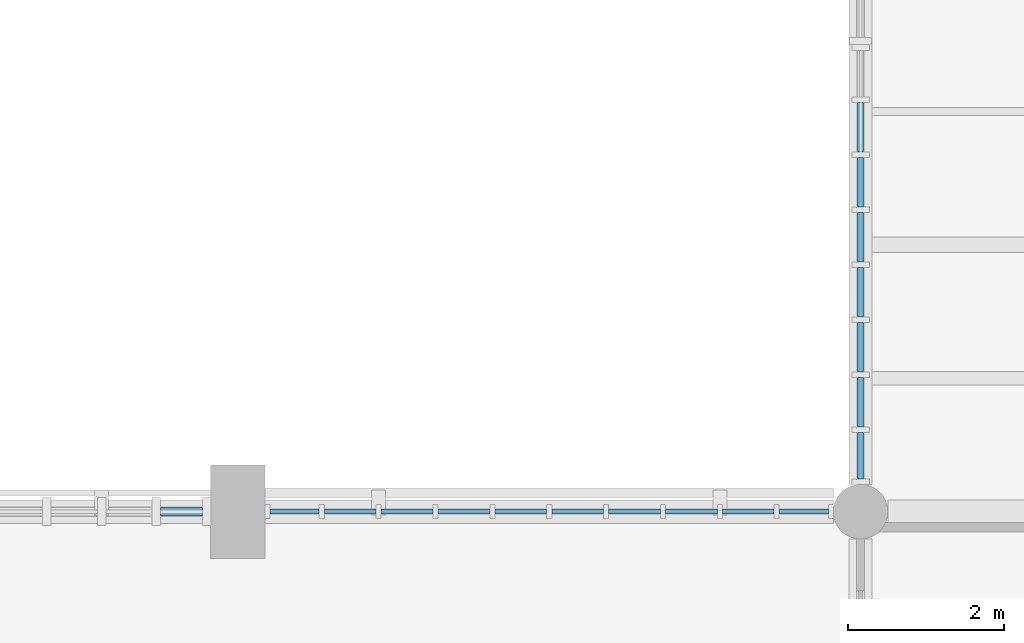
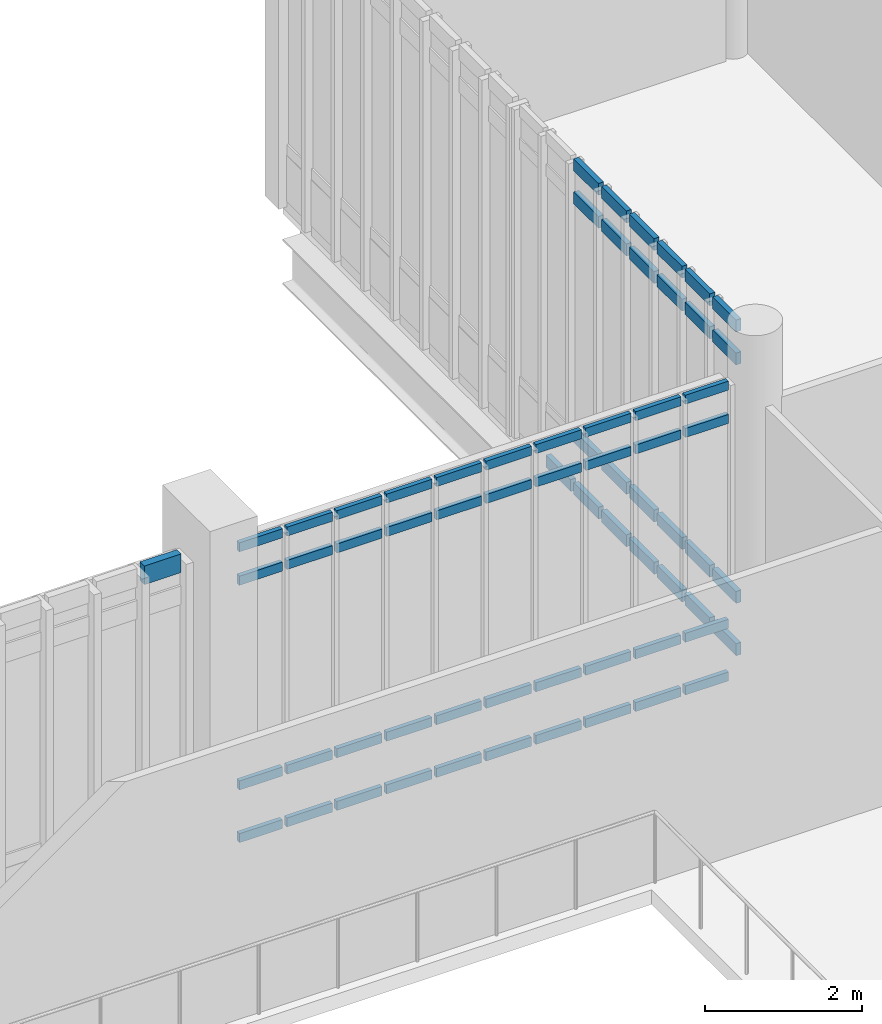
# One storey, part 54 of 127: 66 members, 3 elements without a shape of their own.
"""IFC4 building model written with IfcOpenShell, lengths in metres."""

from ifc_helpers import new_model, si_unit, direction, frame, origin, origin_2d, place, context, subcontext, project, spatial, rectangle, extrude, material, material_profile, profile_set, type_object, element, aggregate, save


model = new_model("IFC4")

# Units and contexts
model_context = context("Model", 3, precision=1e-05, world=origin(), true_north=direction((0.0, 1.0)))
body_context = subcontext(model_context, "Body", "Model", "MODEL_VIEW")
ifc_project = project(units=[si_unit("LENGTHUNIT", "METRE"), si_unit("AREAUNIT", "SQUARE_METRE"), si_unit("VOLUMEUNIT", "CUBIC_METRE"), si_unit("PLANEANGLEUNIT", "RADIAN"), si_unit("MASSUNIT", "GRAM", prefix="KILO")], contexts=[model_context])

# Site, building, storey
site_placement = place(None, origin())
site = spatial("IfcSite", under=ifc_project, at=site_placement, CompositionType="ELEMENT")
building_placement = place(site_placement, origin())
building = spatial("IfcBuilding", under=site, at=building_placement, Name="Larkvane Passage Sports Hall", CompositionType="ELEMENT")
storey_placement = place(building_placement, frame((0.0, 0.0, 5.39990234375)))
storey = spatial("IfcBuildingStorey", under=building, at=storey_placement, Name="L01", CompositionType="ELEMENT", Elevation=5.39990234375)

# Curtain wall, member
ifc_material_1 = material(Name="Thermally broken aluminium and low-E glazing", Category="aluminium")
curtain_wall_type_1 = type_object("IfcCurtainWallType", Name="CW-CLINIC", PredefinedType="USERDEFINED", material=ifc_material_1)
curtain_wall_1_placement = place(storey_placement, origin())
curtain_wall_1 = element("IfcCurtainWall", 1, at=curtain_wall_1_placement, inside=storey, type_object=curtain_wall_type_1, Name="Curtain wall CW5-L01-047", ObjectType="UNITISED CURTAIN WALL", PredefinedType="USERDEFINED")
ifc_material_2 = material(Name="Anodised aluminium 6063-T6", Category="aluminium")
ifc_material_profile_1 = material_profile(ifc_material_2, rectangle(XDim=0.110107421875, YDim=0.2900390625, at=origin_2d()), Name="ALU-TRN-110x290")
ifc_profile_set_1 = profile_set([ifc_material_profile_1], Name="Anodised aluminium 6063-T6")
member_type_1 = type_object("IfcMemberType", Name="CW-TRN-110x290", PredefinedType="USERDEFINED", material=ifc_profile_set_1)
member_1_placement = place(storey_placement, frame((109.005615234375, 51.60009765625, 4.619140625), z_axis=(1.0, 0.0, 0.0), x_axis=(0.0, 1.0, 0.0)))
member_1 = element("IfcMember", 2, at=member_1_placement, type_object=member_type_1, Name="CW-05 transom 10.4", ObjectType="TRANSOM", PredefinedType="USERDEFINED", context=body_context, shape_type="SweptSolid", body=[
    extrude(rectangle(XDim=0.110107421875, YDim=0.2900390625, at=origin_2d()), origin(), (0.0, 0.0, 1.0), 0.538330078125),
])
aggregate(curtain_wall_1, [member_1])

# Curtain wall, members
curtain_wall_type_2 = type_object("IfcCurtainWallType", Name="CW-UNIT-COURT", PredefinedType="USERDEFINED", material=ifc_material_1)
curtain_wall_2_placement = place(storey_placement, origin())
curtain_wall_2 = element("IfcCurtainWall", 3, at=curtain_wall_2_placement, inside=storey, type_object=curtain_wall_type_2, Name="Curtain wall CW5-L01-048", ObjectType="UNITISED CURTAIN WALL", PredefinedType="USERDEFINED")
ifc_material_profile_2 = material_profile(ifc_material_2, rectangle(XDim=0.06494140625, YDim=0.139892578125, at=origin_2d()), Name="ALU-TRN-65x140")
ifc_profile_set_2 = profile_set([ifc_material_profile_2], Name="Anodised aluminium 6063-T6")
member_type_2 = type_object("IfcMemberType", Name="CW-TRN-65x140", PredefinedType="USERDEFINED", material=ifc_profile_set_2)
member_2_placement = place(storey_placement, frame((110.410888671875, 51.60009765625, 0.03271484375), z_axis=(1.0, 0.0, 0.0), x_axis=(0.0, 1.0, 0.0)))
member_2 = element("IfcMember", 4, at=member_2_placement, type_object=member_type_2, Name="CW-01 transom 1.1", ObjectType="TRANSOM", PredefinedType="USERDEFINED", context=body_context, shape_type="SweptSolid", body=[
    extrude(rectangle(XDim=0.06494140625, YDim=0.139892578125, at=origin_2d()), origin(), (0.0, 0.0, 1.0), 0.63330078125),
])
member_3_placement = place(storey_placement, frame((110.410888671875, 51.60009765625, 0.85009765625), z_axis=(1.0, 0.0, 0.0), x_axis=(0.0, 1.0, 0.0)))
member_3 = element("IfcMember", 5, at=member_3_placement, type_object=member_type_2, Name="CW-01 transom 1.2", ObjectType="TRANSOM", PredefinedType="USERDEFINED", context=body_context, shape_type="SweptSolid", body=[
    extrude(rectangle(XDim=0.06494140625, YDim=0.139892578125, at=origin_2d()), origin(), (0.0, 0.0, 1.0), 0.63330078125),
])
member_4_placement = place(storey_placement, frame((110.410888671875, 51.60009765625, 4.028076171875), z_axis=(1.0, 0.0, 0.0), x_axis=(0.0, 1.0, 0.0)))
member_4 = element("IfcMember", 6, at=member_4_placement, type_object=member_type_2, Name="CW-01 transom 1.3", ObjectType="TRANSOM", PredefinedType="USERDEFINED", context=body_context, shape_type="SweptSolid", body=[
    extrude(rectangle(XDim=0.06494140625, YDim=0.139892578125, at=origin_2d()), origin(), (0.0, 0.0, 1.0), 0.63330078125),
])
member_5_placement = place(storey_placement, frame((110.410888671875, 51.60009765625, 4.545654296875), z_axis=(1.0, 0.0, 0.0), x_axis=(0.0, 1.0, 0.0)))
member_5 = element("IfcMember", 7, at=member_5_placement, type_object=member_type_2, Name="CW-01 transom 1.4", ObjectType="TRANSOM", PredefinedType="USERDEFINED", context=body_context, shape_type="SweptSolid", body=[
    extrude(rectangle(XDim=0.06494140625, YDim=0.139892578125, at=origin_2d()), origin(), (0.0, 0.0, 1.0), 0.63330078125),
])
member_6_placement = place(storey_placement, frame((111.109375, 51.60009765625, 0.03271484375), z_axis=(1.0, 0.0, 0.0), x_axis=(0.0, 1.0, 0.0)))
member_6 = element("IfcMember", 8, at=member_6_placement, type_object=member_type_2, Name="CW-01 transom 2.1", ObjectType="TRANSOM", PredefinedType="USERDEFINED", context=body_context, shape_type="SweptSolid", body=[
    extrude(rectangle(XDim=0.06494140625, YDim=0.139892578125, at=origin_2d()), origin(), (0.0, 0.0, 1.0), 0.665771484375),
])
member_7_placement = place(storey_placement, frame((111.109375, 51.60009765625, 0.85009765625), z_axis=(1.0, 0.0, 0.0), x_axis=(0.0, 1.0, 0.0)))
member_7 = element("IfcMember", 9, at=member_7_placement, type_object=member_type_2, Name="CW-01 transom 2.2", ObjectType="TRANSOM", PredefinedType="USERDEFINED", context=body_context, shape_type="SweptSolid", body=[
    extrude(rectangle(XDim=0.06494140625, YDim=0.139892578125, at=origin_2d()), origin(), (0.0, 0.0, 1.0), 0.665771484375),
])
member_8_placement = place(storey_placement, frame((111.109375, 51.60009765625, 4.028076171875), z_axis=(1.0, 0.0, 0.0), x_axis=(0.0, 1.0, 0.0)))
member_8 = element("IfcMember", 10, at=member_8_placement, type_object=member_type_2, Name="CW-01 transom 2.3", ObjectType="TRANSOM", PredefinedType="USERDEFINED", context=body_context, shape_type="SweptSolid", body=[
    extrude(rectangle(XDim=0.06494140625, YDim=0.139892578125, at=origin_2d()), origin(), (0.0, 0.0, 1.0), 0.665771484375),
])
member_9_placement = place(storey_placement, frame((111.109375, 51.60009765625, 4.545654296875), z_axis=(1.0, 0.0, 0.0), x_axis=(0.0, 1.0, 0.0)))
member_9 = element("IfcMember", 11, at=member_9_placement, type_object=member_type_2, Name="CW-01 transom 2.4", ObjectType="TRANSOM", PredefinedType="USERDEFINED", context=body_context, shape_type="SweptSolid", body=[
    extrude(rectangle(XDim=0.06494140625, YDim=0.139892578125, at=origin_2d()), origin(), (0.0, 0.0, 1.0), 0.665771484375),
])
member_10_placement = place(storey_placement, frame((111.840087890625, 51.60009765625, 0.03271484375), z_axis=(1.0, 0.0, 0.0), x_axis=(0.0, 1.0, 0.0)))
member_10 = element("IfcMember", 12, at=member_10_placement, type_object=member_type_2, Name="CW-01 transom 3.1", ObjectType="TRANSOM", PredefinedType="USERDEFINED", context=body_context, shape_type="SweptSolid", body=[
    extrude(rectangle(XDim=0.06494140625, YDim=0.139892578125, at=origin_2d()), origin(), (0.0, 0.0, 1.0), 0.665771484375),
])
member_11_placement = place(storey_placement, frame((111.840087890625, 51.60009765625, 0.85009765625), z_axis=(1.0, 0.0, 0.0), x_axis=(0.0, 1.0, 0.0)))
member_11 = element("IfcMember", 13, at=member_11_placement, type_object=member_type_2, Name="CW-01 transom 3.2", ObjectType="TRANSOM", PredefinedType="USERDEFINED", context=body_context, shape_type="SweptSolid", body=[
    extrude(rectangle(XDim=0.06494140625, YDim=0.139892578125, at=origin_2d()), origin(), (0.0, 0.0, 1.0), 0.665771484375),
])
member_12_placement = place(storey_placement, frame((111.840087890625, 51.60009765625, 4.028076171875), z_axis=(1.0, 0.0, 0.0), x_axis=(0.0, 1.0, 0.0)))
member_12 = element("IfcMember", 14, at=member_12_placement, type_object=member_type_2, Name="CW-01 transom 3.3", ObjectType="TRANSOM", PredefinedType="USERDEFINED", context=body_context, shape_type="SweptSolid", body=[
    extrude(rectangle(XDim=0.06494140625, YDim=0.139892578125, at=origin_2d()), origin(), (0.0, 0.0, 1.0), 0.665771484375),
])
member_13_placement = place(storey_placement, frame((111.840087890625, 51.60009765625, 4.545654296875), z_axis=(1.0, 0.0, 0.0), x_axis=(0.0, 1.0, 0.0)))
member_13 = element("IfcMember", 15, at=member_13_placement, type_object=member_type_2, Name="CW-01 transom 3.4", ObjectType="TRANSOM", PredefinedType="USERDEFINED", context=body_context, shape_type="SweptSolid", body=[
    extrude(rectangle(XDim=0.06494140625, YDim=0.139892578125, at=origin_2d()), origin(), (0.0, 0.0, 1.0), 0.665771484375),
])
member_14_placement = place(storey_placement, frame((112.57080078125, 51.60009765625, 0.03271484375), z_axis=(1.0, 0.0, 0.0), x_axis=(0.0, 1.0, 0.0)))
member_14 = element("IfcMember", 16, at=member_14_placement, type_object=member_type_2, Name="CW-01 transom 4.1", ObjectType="TRANSOM", PredefinedType="USERDEFINED", context=body_context, shape_type="SweptSolid", body=[
    extrude(rectangle(XDim=0.06494140625, YDim=0.139892578125, at=origin_2d()), origin(), (0.0, 0.0, 1.0), 0.666015625),
])
member_15_placement = place(storey_placement, frame((112.57080078125, 51.60009765625, 0.85009765625), z_axis=(1.0, 0.0, 0.0), x_axis=(0.0, 1.0, 0.0)))
member_15 = element("IfcMember", 17, at=member_15_placement, type_object=member_type_2, Name="CW-01 transom 4.2", ObjectType="TRANSOM", PredefinedType="USERDEFINED", context=body_context, shape_type="SweptSolid", body=[
    extrude(rectangle(XDim=0.06494140625, YDim=0.139892578125, at=origin_2d()), origin(), (0.0, 0.0, 1.0), 0.666015625),
])
member_16_placement = place(storey_placement, frame((112.57080078125, 51.60009765625, 4.028076171875), z_axis=(1.0, 0.0, 0.0), x_axis=(0.0, 1.0, 0.0)))
member_16 = element("IfcMember", 18, at=member_16_placement, type_object=member_type_2, Name="CW-01 transom 4.3", ObjectType="TRANSOM", PredefinedType="USERDEFINED", context=body_context, shape_type="SweptSolid", body=[
    extrude(rectangle(XDim=0.06494140625, YDim=0.139892578125, at=origin_2d()), origin(), (0.0, 0.0, 1.0), 0.666015625),
])
member_17_placement = place(storey_placement, frame((112.57080078125, 51.60009765625, 4.545654296875), z_axis=(1.0, 0.0, 0.0), x_axis=(0.0, 1.0, 0.0)))
member_17 = element("IfcMember", 19, at=member_17_placement, type_object=member_type_2, Name="CW-01 transom 4.4", ObjectType="TRANSOM", PredefinedType="USERDEFINED", context=body_context, shape_type="SweptSolid", body=[
    extrude(rectangle(XDim=0.06494140625, YDim=0.139892578125, at=origin_2d()), origin(), (0.0, 0.0, 1.0), 0.666015625),
])
member_18_placement = place(storey_placement, frame((113.3017578125, 51.60009765625, 0.03271484375), z_axis=(1.0, 0.0, 0.0), x_axis=(0.0, 1.0, 0.0)))
member_18 = element("IfcMember", 20, at=member_18_placement, type_object=member_type_2, Name="CW-01 transom 5.1", ObjectType="TRANSOM", PredefinedType="USERDEFINED", context=body_context, shape_type="SweptSolid", body=[
    extrude(rectangle(XDim=0.06494140625, YDim=0.139892578125, at=origin_2d()), origin(), (0.0, 0.0, 1.0), 0.665771484375),
])
member_19_placement = place(storey_placement, frame((113.3017578125, 51.60009765625, 0.85009765625), z_axis=(1.0, 0.0, 0.0), x_axis=(0.0, 1.0, 0.0)))
member_19 = element("IfcMember", 21, at=member_19_placement, type_object=member_type_2, Name="CW-01 transom 5.2", ObjectType="TRANSOM", PredefinedType="USERDEFINED", context=body_context, shape_type="SweptSolid", body=[
    extrude(rectangle(XDim=0.06494140625, YDim=0.139892578125, at=origin_2d()), origin(), (0.0, 0.0, 1.0), 0.665771484375),
])
member_20_placement = place(storey_placement, frame((113.3017578125, 51.60009765625, 4.028076171875), z_axis=(1.0, 0.0, 0.0), x_axis=(0.0, 1.0, 0.0)))
member_20 = element("IfcMember", 22, at=member_20_placement, type_object=member_type_2, Name="CW-01 transom 5.3", ObjectType="TRANSOM", PredefinedType="USERDEFINED", context=body_context, shape_type="SweptSolid", body=[
    extrude(rectangle(XDim=0.06494140625, YDim=0.139892578125, at=origin_2d()), origin(), (0.0, 0.0, 1.0), 0.665771484375),
])
member_21_placement = place(storey_placement, frame((113.3017578125, 51.60009765625, 4.545654296875), z_axis=(1.0, 0.0, 0.0), x_axis=(0.0, 1.0, 0.0)))
member_21 = element("IfcMember", 23, at=member_21_placement, type_object=member_type_2, Name="CW-01 transom 5.4", ObjectType="TRANSOM", PredefinedType="USERDEFINED", context=body_context, shape_type="SweptSolid", body=[
    extrude(rectangle(XDim=0.06494140625, YDim=0.139892578125, at=origin_2d()), origin(), (0.0, 0.0, 1.0), 0.665771484375),
])
member_22_placement = place(storey_placement, frame((114.032470703125, 51.60009765625, 0.03271484375), z_axis=(1.0, 0.0, 0.0), x_axis=(0.0, 1.0, 0.0)))
member_22 = element("IfcMember", 24, at=member_22_placement, type_object=member_type_2, Name="CW-01 transom 6.1", ObjectType="TRANSOM", PredefinedType="USERDEFINED", context=body_context, shape_type="SweptSolid", body=[
    extrude(rectangle(XDim=0.06494140625, YDim=0.139892578125, at=origin_2d()), origin(), (0.0, 0.0, 1.0), 0.665771484375),
])
member_23_placement = place(storey_placement, frame((114.032470703125, 51.60009765625, 0.85009765625), z_axis=(1.0, 0.0, 0.0), x_axis=(0.0, 1.0, 0.0)))
member_23 = element("IfcMember", 25, at=member_23_placement, type_object=member_type_2, Name="CW-01 transom 6.2", ObjectType="TRANSOM", PredefinedType="USERDEFINED", context=body_context, shape_type="SweptSolid", body=[
    extrude(rectangle(XDim=0.06494140625, YDim=0.139892578125, at=origin_2d()), origin(), (0.0, 0.0, 1.0), 0.665771484375),
])
member_24_placement = place(storey_placement, frame((114.032470703125, 51.60009765625, 4.028076171875), z_axis=(1.0, 0.0, 0.0), x_axis=(0.0, 1.0, 0.0)))
member_24 = element("IfcMember", 26, at=member_24_placement, type_object=member_type_2, Name="CW-01 transom 6.3", ObjectType="TRANSOM", PredefinedType="USERDEFINED", context=body_context, shape_type="SweptSolid", body=[
    extrude(rectangle(XDim=0.06494140625, YDim=0.139892578125, at=origin_2d()), origin(), (0.0, 0.0, 1.0), 0.665771484375),
])
member_25_placement = place(storey_placement, frame((114.032470703125, 51.60009765625, 4.545654296875), z_axis=(1.0, 0.0, 0.0), x_axis=(0.0, 1.0, 0.0)))
member_25 = element("IfcMember", 27, at=member_25_placement, type_object=member_type_2, Name="CW-01 transom 6.4", ObjectType="TRANSOM", PredefinedType="USERDEFINED", context=body_context, shape_type="SweptSolid", body=[
    extrude(rectangle(XDim=0.06494140625, YDim=0.139892578125, at=origin_2d()), origin(), (0.0, 0.0, 1.0), 0.665771484375),
])
member_26_placement = place(storey_placement, frame((114.76318359375, 51.60009765625, 0.03271484375), z_axis=(1.0, 0.0, 0.0), x_axis=(0.0, 1.0, 0.0)))
member_26 = element("IfcMember", 28, at=member_26_placement, type_object=member_type_2, Name="CW-01 transom 7.1", ObjectType="TRANSOM", PredefinedType="USERDEFINED", context=body_context, shape_type="SweptSolid", body=[
    extrude(rectangle(XDim=0.06494140625, YDim=0.139892578125, at=origin_2d()), origin(), (0.0, 0.0, 1.0), 0.666015625),
])
member_27_placement = place(storey_placement, frame((114.76318359375, 51.60009765625, 0.85009765625), z_axis=(1.0, 0.0, 0.0), x_axis=(0.0, 1.0, 0.0)))
member_27 = element("IfcMember", 29, at=member_27_placement, type_object=member_type_2, Name="CW-01 transom 7.2", ObjectType="TRANSOM", PredefinedType="USERDEFINED", context=body_context, shape_type="SweptSolid", body=[
    extrude(rectangle(XDim=0.06494140625, YDim=0.139892578125, at=origin_2d()), origin(), (0.0, 0.0, 1.0), 0.666015625),
])
member_28_placement = place(storey_placement, frame((114.76318359375, 51.60009765625, 4.028076171875), z_axis=(1.0, 0.0, 0.0), x_axis=(0.0, 1.0, 0.0)))
member_28 = element("IfcMember", 30, at=member_28_placement, type_object=member_type_2, Name="CW-01 transom 7.3", ObjectType="TRANSOM", PredefinedType="USERDEFINED", context=body_context, shape_type="SweptSolid", body=[
    extrude(rectangle(XDim=0.06494140625, YDim=0.139892578125, at=origin_2d()), origin(), (0.0, 0.0, 1.0), 0.666015625),
])
member_29_placement = place(storey_placement, frame((114.76318359375, 51.60009765625, 4.545654296875), z_axis=(1.0, 0.0, 0.0), x_axis=(0.0, 1.0, 0.0)))
member_29 = element("IfcMember", 31, at=member_29_placement, type_object=member_type_2, Name="CW-01 transom 7.4", ObjectType="TRANSOM", PredefinedType="USERDEFINED", context=body_context, shape_type="SweptSolid", body=[
    extrude(rectangle(XDim=0.06494140625, YDim=0.139892578125, at=origin_2d()), origin(), (0.0, 0.0, 1.0), 0.666015625),
])
member_30_placement = place(storey_placement, frame((115.494140625, 51.60009765625, 0.03271484375), z_axis=(1.0, 0.0, 0.0), x_axis=(0.0, 1.0, 0.0)))
member_30 = element("IfcMember", 32, at=member_30_placement, type_object=member_type_2, Name="CW-01 transom 8.1", ObjectType="TRANSOM", PredefinedType="USERDEFINED", context=body_context, shape_type="SweptSolid", body=[
    extrude(rectangle(XDim=0.06494140625, YDim=0.139892578125, at=origin_2d()), origin(), (0.0, 0.0, 1.0), 0.665771484375),
])
member_31_placement = place(storey_placement, frame((115.494140625, 51.60009765625, 0.85009765625), z_axis=(1.0, 0.0, 0.0), x_axis=(0.0, 1.0, 0.0)))
member_31 = element("IfcMember", 33, at=member_31_placement, type_object=member_type_2, Name="CW-01 transom 8.2", ObjectType="TRANSOM", PredefinedType="USERDEFINED", context=body_context, shape_type="SweptSolid", body=[
    extrude(rectangle(XDim=0.06494140625, YDim=0.139892578125, at=origin_2d()), origin(), (0.0, 0.0, 1.0), 0.665771484375),
])
member_32_placement = place(storey_placement, frame((115.494140625, 51.60009765625, 4.028076171875), z_axis=(1.0, 0.0, 0.0), x_axis=(0.0, 1.0, 0.0)))
member_32 = element("IfcMember", 34, at=member_32_placement, type_object=member_type_2, Name="CW-01 transom 8.3", ObjectType="TRANSOM", PredefinedType="USERDEFINED", context=body_context, shape_type="SweptSolid", body=[
    extrude(rectangle(XDim=0.06494140625, YDim=0.139892578125, at=origin_2d()), origin(), (0.0, 0.0, 1.0), 0.665771484375),
])
member_33_placement = place(storey_placement, frame((115.494140625, 51.60009765625, 4.545654296875), z_axis=(1.0, 0.0, 0.0), x_axis=(0.0, 1.0, 0.0)))
member_33 = element("IfcMember", 35, at=member_33_placement, type_object=member_type_2, Name="CW-01 transom 8.4", ObjectType="TRANSOM", PredefinedType="USERDEFINED", context=body_context, shape_type="SweptSolid", body=[
    extrude(rectangle(XDim=0.06494140625, YDim=0.139892578125, at=origin_2d()), origin(), (0.0, 0.0, 1.0), 0.665771484375),
])
member_34_placement = place(storey_placement, frame((116.224853515625, 51.60009765625, 0.03271484375), z_axis=(1.0, 0.0, 0.0), x_axis=(0.0, 1.0, 0.0)))
member_34 = element("IfcMember", 36, at=member_34_placement, type_object=member_type_2, Name="CW-01 transom 9.1", ObjectType="TRANSOM", PredefinedType="USERDEFINED", context=body_context, shape_type="SweptSolid", body=[
    extrude(rectangle(XDim=0.06494140625, YDim=0.139892578125, at=origin_2d()), origin(), (0.0, 0.0, 1.0), 0.665771484375),
])
member_35_placement = place(storey_placement, frame((116.224853515625, 51.60009765625, 0.85009765625), z_axis=(1.0, 0.0, 0.0), x_axis=(0.0, 1.0, 0.0)))
member_35 = element("IfcMember", 37, at=member_35_placement, type_object=member_type_2, Name="CW-01 transom 9.2", ObjectType="TRANSOM", PredefinedType="USERDEFINED", context=body_context, shape_type="SweptSolid", body=[
    extrude(rectangle(XDim=0.06494140625, YDim=0.139892578125, at=origin_2d()), origin(), (0.0, 0.0, 1.0), 0.665771484375),
])
member_36_placement = place(storey_placement, frame((116.224853515625, 51.60009765625, 4.028076171875), z_axis=(1.0, 0.0, 0.0), x_axis=(0.0, 1.0, 0.0)))
member_36 = element("IfcMember", 38, at=member_36_placement, type_object=member_type_2, Name="CW-01 transom 9.3", ObjectType="TRANSOM", PredefinedType="USERDEFINED", context=body_context, shape_type="SweptSolid", body=[
    extrude(rectangle(XDim=0.06494140625, YDim=0.139892578125, at=origin_2d()), origin(), (0.0, 0.0, 1.0), 0.665771484375),
])
member_37_placement = place(storey_placement, frame((116.224853515625, 51.60009765625, 4.545654296875), z_axis=(1.0, 0.0, 0.0), x_axis=(0.0, 1.0, 0.0)))
member_37 = element("IfcMember", 39, at=member_37_placement, type_object=member_type_2, Name="CW-01 transom 9.4", ObjectType="TRANSOM", PredefinedType="USERDEFINED", context=body_context, shape_type="SweptSolid", body=[
    extrude(rectangle(XDim=0.06494140625, YDim=0.139892578125, at=origin_2d()), origin(), (0.0, 0.0, 1.0), 0.665771484375),
])
member_38_placement = place(storey_placement, frame((116.955810546875, 51.60009765625, 0.03271484375), z_axis=(1.0, 0.0, 0.0), x_axis=(0.0, 1.0, 0.0)))
member_38 = element("IfcMember", 40, at=member_38_placement, type_object=member_type_2, Name="CW-01 transom 10.1", ObjectType="TRANSOM", PredefinedType="USERDEFINED", context=body_context, shape_type="SweptSolid", body=[
    extrude(rectangle(XDim=0.06494140625, YDim=0.139892578125, at=origin_2d()), origin(), (0.0, 0.0, 1.0), 0.63330078125),
])
member_39_placement = place(storey_placement, frame((116.955810546875, 51.60009765625, 0.85009765625), z_axis=(1.0, 0.0, 0.0), x_axis=(0.0, 1.0, 0.0)))
member_39 = element("IfcMember", 41, at=member_39_placement, type_object=member_type_2, Name="CW-01 transom 10.2", ObjectType="TRANSOM", PredefinedType="USERDEFINED", context=body_context, shape_type="SweptSolid", body=[
    extrude(rectangle(XDim=0.06494140625, YDim=0.139892578125, at=origin_2d()), origin(), (0.0, 0.0, 1.0), 0.63330078125),
])
member_40_placement = place(storey_placement, frame((116.955810546875, 51.60009765625, 4.028076171875), z_axis=(1.0, 0.0, 0.0), x_axis=(0.0, 1.0, 0.0)))
member_40 = element("IfcMember", 42, at=member_40_placement, type_object=member_type_2, Name="CW-01 transom 10.3", ObjectType="TRANSOM", PredefinedType="USERDEFINED", context=body_context, shape_type="SweptSolid", body=[
    extrude(rectangle(XDim=0.06494140625, YDim=0.139892578125, at=origin_2d()), origin(), (0.0, 0.0, 1.0), 0.63330078125),
])
member_41_placement = place(storey_placement, frame((116.955810546875, 51.60009765625, 4.545654296875), z_axis=(1.0, 0.0, 0.0), x_axis=(0.0, 1.0, 0.0)))
member_41 = element("IfcMember", 43, at=member_41_placement, type_object=member_type_2, Name="CW-01 transom 10.4", ObjectType="TRANSOM", PredefinedType="USERDEFINED", context=body_context, shape_type="SweptSolid", body=[
    extrude(rectangle(XDim=0.06494140625, YDim=0.139892578125, at=origin_2d()), origin(), (0.0, 0.0, 1.0), 0.63330078125),
])
aggregate(curtain_wall_2, [member_2, member_3, member_4, member_5, member_6, member_7, member_8, member_9, member_10, member_11, member_12, member_13, member_14, member_15, member_16, member_17, member_18, member_19, member_20, member_21, member_22, member_23, member_24, member_25, member_26, member_27, member_28, member_29, member_30, member_31, member_32, member_33, member_34, member_35, member_36, member_37, member_38, member_39, member_40, member_41])

curtain_wall_type_3 = type_object("IfcCurtainWallType", Name="CW-UNIT-VEIL", PredefinedType="USERDEFINED", material=ifc_material_1)
curtain_wall_3_placement = place(storey_placement, origin())
curtain_wall_3 = element("IfcCurtainWall", 44, at=curtain_wall_3_placement, inside=storey, type_object=curtain_wall_type_3, Name="Curtain wall CW5-L01-049", ObjectType="UNITISED CURTAIN WALL", PredefinedType="USERDEFINED")
ifc_material_profile_3 = material_profile(ifc_material_2, rectangle(XDim=0.074951171875, YDim=0.18505859375, at=origin_2d()), Name="ALU-TRN-75x185")
ifc_profile_set_3 = profile_set([ifc_material_profile_3], Name="Anodised aluminium 6063-T6")
member_type_3 = type_object("IfcMemberType", Name="CW-TRN-75x185", PredefinedType="USERDEFINED", material=ifc_profile_set_3)
member_42_placement = place(storey_placement, frame((118.0, 52.02099609375, 0.03759765625), z_axis=(0.0, 1.0, 0.0), x_axis=(-1.0, 0.0, 0.0)))
member_42 = element("IfcMember", 45, at=member_42_placement, type_object=member_type_3, Name="CW-02 transom 1.1", ObjectType="TRANSOM", PredefinedType="USERDEFINED", context=body_context, shape_type="SweptSolid", body=[
    extrude(rectangle(XDim=0.074951171875, YDim=0.18505859375, at=origin_2d()), origin(), (0.0, 0.0, 1.0), 0.59423828125),
])
member_43_placement = place(storey_placement, frame((118.0, 52.02099609375, 0.85009765625), z_axis=(0.0, 1.0, 0.0), x_axis=(-1.0, 0.0, 0.0)))
member_43 = element("IfcMember", 46, at=member_43_placement, type_object=member_type_3, Name="CW-02 transom 1.2", ObjectType="TRANSOM", PredefinedType="USERDEFINED", context=body_context, shape_type="SweptSolid", body=[
    extrude(rectangle(XDim=0.074951171875, YDim=0.18505859375, at=origin_2d()), origin(), (0.0, 0.0, 1.0), 0.59423828125),
])
member_44_placement = place(storey_placement, frame((118.0, 52.02099609375, 4.550048828125), z_axis=(0.0, 1.0, 0.0), x_axis=(-1.0, 0.0, 0.0)))
member_44 = element("IfcMember", 47, at=member_44_placement, type_object=member_type_3, Name="CW-02 transom 1.3", ObjectType="TRANSOM", PredefinedType="USERDEFINED", context=body_context, shape_type="SweptSolid", body=[
    extrude(rectangle(XDim=0.074951171875, YDim=0.18505859375, at=origin_2d()), origin(), (0.0, 0.0, 1.0), 0.59423828125),
])
member_45_placement = place(storey_placement, frame((118.0, 52.02099609375, 5.0625), z_axis=(0.0, 1.0, 0.0), x_axis=(-1.0, 0.0, 0.0)))
member_45 = element("IfcMember", 48, at=member_45_placement, type_object=member_type_3, Name="CW-02 transom 1.4", ObjectType="TRANSOM", PredefinedType="USERDEFINED", context=body_context, shape_type="SweptSolid", body=[
    extrude(rectangle(XDim=0.074951171875, YDim=0.18505859375, at=origin_2d()), origin(), (0.0, 0.0, 1.0), 0.59423828125),
])
member_46_placement = place(storey_placement, frame((118.0, 52.690185546875, 0.03759765625), z_axis=(0.0, 1.0, 0.0), x_axis=(-1.0, 0.0, 0.0)))
member_46 = element("IfcMember", 49, at=member_46_placement, type_object=member_type_3, Name="CW-02 transom 2.1", ObjectType="TRANSOM", PredefinedType="USERDEFINED", context=body_context, shape_type="SweptSolid", body=[
    extrude(rectangle(XDim=0.074951171875, YDim=0.18505859375, at=origin_2d()), origin(), (0.0, 0.0, 1.0), 0.6318359375),
])
member_47_placement = place(storey_placement, frame((118.0, 52.690185546875, 0.85009765625), z_axis=(0.0, 1.0, 0.0), x_axis=(-1.0, 0.0, 0.0)))
member_47 = element("IfcMember", 50, at=member_47_placement, type_object=member_type_3, Name="CW-02 transom 2.2", ObjectType="TRANSOM", PredefinedType="USERDEFINED", context=body_context, shape_type="SweptSolid", body=[
    extrude(rectangle(XDim=0.074951171875, YDim=0.18505859375, at=origin_2d()), origin(), (0.0, 0.0, 1.0), 0.6318359375),
])
member_48_placement = place(storey_placement, frame((118.0, 52.690185546875, 4.550048828125), z_axis=(0.0, 1.0, 0.0), x_axis=(-1.0, 0.0, 0.0)))
member_48 = element("IfcMember", 51, at=member_48_placement, type_object=member_type_3, Name="CW-02 transom 2.3", ObjectType="TRANSOM", PredefinedType="USERDEFINED", context=body_context, shape_type="SweptSolid", body=[
    extrude(rectangle(XDim=0.074951171875, YDim=0.18505859375, at=origin_2d()), origin(), (0.0, 0.0, 1.0), 0.6318359375),
])
member_49_placement = place(storey_placement, frame((118.0, 52.690185546875, 5.0625), z_axis=(0.0, 1.0, 0.0), x_axis=(-1.0, 0.0, 0.0)))
member_49 = element("IfcMember", 52, at=member_49_placement, type_object=member_type_3, Name="CW-02 transom 2.4", ObjectType="TRANSOM", PredefinedType="USERDEFINED", context=body_context, shape_type="SweptSolid", body=[
    extrude(rectangle(XDim=0.074951171875, YDim=0.18505859375, at=origin_2d()), origin(), (0.0, 0.0, 1.0), 0.6318359375),
])
member_50_placement = place(storey_placement, frame((118.0, 53.39697265625, 0.03759765625), z_axis=(0.0, 1.0, 0.0), x_axis=(-1.0, 0.0, 0.0)))
member_50 = element("IfcMember", 53, at=member_50_placement, type_object=member_type_3, Name="CW-02 transom 3.1", ObjectType="TRANSOM", PredefinedType="USERDEFINED", context=body_context, shape_type="SweptSolid", body=[
    extrude(rectangle(XDim=0.074951171875, YDim=0.18505859375, at=origin_2d()), origin(), (0.0, 0.0, 1.0), 0.6318359375),
])
member_51_placement = place(storey_placement, frame((118.0, 53.39697265625, 0.85009765625), z_axis=(0.0, 1.0, 0.0), x_axis=(-1.0, 0.0, 0.0)))
member_51 = element("IfcMember", 54, at=member_51_placement, type_object=member_type_3, Name="CW-02 transom 3.2", ObjectType="TRANSOM", PredefinedType="USERDEFINED", context=body_context, shape_type="SweptSolid", body=[
    extrude(rectangle(XDim=0.074951171875, YDim=0.18505859375, at=origin_2d()), origin(), (0.0, 0.0, 1.0), 0.6318359375),
])
member_52_placement = place(storey_placement, frame((118.0, 53.39697265625, 4.550048828125), z_axis=(0.0, 1.0, 0.0), x_axis=(-1.0, 0.0, 0.0)))
member_52 = element("IfcMember", 55, at=member_52_placement, type_object=member_type_3, Name="CW-02 transom 3.3", ObjectType="TRANSOM", PredefinedType="USERDEFINED", context=body_context, shape_type="SweptSolid", body=[
    extrude(rectangle(XDim=0.074951171875, YDim=0.18505859375, at=origin_2d()), origin(), (0.0, 0.0, 1.0), 0.6318359375),
])
member_53_placement = place(storey_placement, frame((118.0, 53.39697265625, 5.0625), z_axis=(0.0, 1.0, 0.0), x_axis=(-1.0, 0.0, 0.0)))
member_53 = element("IfcMember", 56, at=member_53_placement, type_object=member_type_3, Name="CW-02 transom 3.4", ObjectType="TRANSOM", PredefinedType="USERDEFINED", context=body_context, shape_type="SweptSolid", body=[
    extrude(rectangle(XDim=0.074951171875, YDim=0.18505859375, at=origin_2d()), origin(), (0.0, 0.0, 1.0), 0.6318359375),
])
member_54_placement = place(storey_placement, frame((118.0, 54.103759765625, 0.03759765625), z_axis=(0.0, 1.0, 0.0), x_axis=(-1.0, 0.0, 0.0)))
member_54 = element("IfcMember", 57, at=member_54_placement, type_object=member_type_3, Name="CW-02 transom 4.1", ObjectType="TRANSOM", PredefinedType="USERDEFINED", context=body_context, shape_type="SweptSolid", body=[
    extrude(rectangle(XDim=0.074951171875, YDim=0.18505859375, at=origin_2d()), origin(), (0.0, 0.0, 1.0), 0.6318359375),
])
member_55_placement = place(storey_placement, frame((118.0, 54.103759765625, 0.85009765625), z_axis=(0.0, 1.0, 0.0), x_axis=(-1.0, 0.0, 0.0)))
member_55 = element("IfcMember", 58, at=member_55_placement, type_object=member_type_3, Name="CW-02 transom 4.2", ObjectType="TRANSOM", PredefinedType="USERDEFINED", context=body_context, shape_type="SweptSolid", body=[
    extrude(rectangle(XDim=0.074951171875, YDim=0.18505859375, at=origin_2d()), origin(), (0.0, 0.0, 1.0), 0.6318359375),
])
member_56_placement = place(storey_placement, frame((118.0, 54.103759765625, 4.550048828125), z_axis=(0.0, 1.0, 0.0), x_axis=(-1.0, 0.0, 0.0)))
member_56 = element("IfcMember", 59, at=member_56_placement, type_object=member_type_3, Name="CW-02 transom 4.3", ObjectType="TRANSOM", PredefinedType="USERDEFINED", context=body_context, shape_type="SweptSolid", body=[
    extrude(rectangle(XDim=0.074951171875, YDim=0.18505859375, at=origin_2d()), origin(), (0.0, 0.0, 1.0), 0.6318359375),
])
member_57_placement = place(storey_placement, frame((118.0, 54.103759765625, 5.0625), z_axis=(0.0, 1.0, 0.0), x_axis=(-1.0, 0.0, 0.0)))
member_57 = element("IfcMember", 60, at=member_57_placement, type_object=member_type_3, Name="CW-02 transom 4.4", ObjectType="TRANSOM", PredefinedType="USERDEFINED", context=body_context, shape_type="SweptSolid", body=[
    extrude(rectangle(XDim=0.074951171875, YDim=0.18505859375, at=origin_2d()), origin(), (0.0, 0.0, 1.0), 0.6318359375),
])
member_58_placement = place(storey_placement, frame((118.0, 54.810546875, 0.03759765625), z_axis=(0.0, 1.0, 0.0), x_axis=(-1.0, 0.0, 0.0)))
member_58 = element("IfcMember", 61, at=member_58_placement, type_object=member_type_3, Name="CW-02 transom 5.1", ObjectType="TRANSOM", PredefinedType="USERDEFINED", context=body_context, shape_type="SweptSolid", body=[
    extrude(rectangle(XDim=0.074951171875, YDim=0.18505859375, at=origin_2d()), origin(), (0.0, 0.0, 1.0), 0.631591796875),
])
member_59_placement = place(storey_placement, frame((118.0, 54.810546875, 0.85009765625), z_axis=(0.0, 1.0, 0.0), x_axis=(-1.0, 0.0, 0.0)))
member_59 = element("IfcMember", 62, at=member_59_placement, type_object=member_type_3, Name="CW-02 transom 5.2", ObjectType="TRANSOM", PredefinedType="USERDEFINED", context=body_context, shape_type="SweptSolid", body=[
    extrude(rectangle(XDim=0.074951171875, YDim=0.18505859375, at=origin_2d()), origin(), (0.0, 0.0, 1.0), 0.631591796875),
])
member_60_placement = place(storey_placement, frame((118.0, 54.810546875, 4.550048828125), z_axis=(0.0, 1.0, 0.0), x_axis=(-1.0, 0.0, 0.0)))
member_60 = element("IfcMember", 63, at=member_60_placement, type_object=member_type_3, Name="CW-02 transom 5.3", ObjectType="TRANSOM", PredefinedType="USERDEFINED", context=body_context, shape_type="SweptSolid", body=[
    extrude(rectangle(XDim=0.074951171875, YDim=0.18505859375, at=origin_2d()), origin(), (0.0, 0.0, 1.0), 0.631591796875),
])
member_61_placement = place(storey_placement, frame((118.0, 54.810546875, 5.0625), z_axis=(0.0, 1.0, 0.0), x_axis=(-1.0, 0.0, 0.0)))
member_61 = element("IfcMember", 64, at=member_61_placement, type_object=member_type_3, Name="CW-02 transom 5.4", ObjectType="TRANSOM", PredefinedType="USERDEFINED", context=body_context, shape_type="SweptSolid", body=[
    extrude(rectangle(XDim=0.074951171875, YDim=0.18505859375, at=origin_2d()), origin(), (0.0, 0.0, 1.0), 0.631591796875),
])
member_62_placement = place(storey_placement, frame((118.0, 55.517333984375, 0.03759765625), z_axis=(0.0, 1.0, 0.0), x_axis=(-1.0, 0.0, 0.0)))
member_62 = element("IfcMember", 65, at=member_62_placement, type_object=member_type_3, Name="CW-02 transom 6.1", ObjectType="TRANSOM", PredefinedType="USERDEFINED", context=body_context, shape_type="SweptSolid", body=[
    extrude(rectangle(XDim=0.074951171875, YDim=0.18505859375, at=origin_2d()), origin(), (0.0, 0.0, 1.0), 0.631591796875),
])
member_63_placement = place(storey_placement, frame((118.0, 55.517333984375, 0.85009765625), z_axis=(0.0, 1.0, 0.0), x_axis=(-1.0, 0.0, 0.0)))
member_63 = element("IfcMember", 66, at=member_63_placement, type_object=member_type_3, Name="CW-02 transom 6.2", ObjectType="TRANSOM", PredefinedType="USERDEFINED", context=body_context, shape_type="SweptSolid", body=[
    extrude(rectangle(XDim=0.074951171875, YDim=0.18505859375, at=origin_2d()), origin(), (0.0, 0.0, 1.0), 0.631591796875),
])
member_64_placement = place(storey_placement, frame((118.0, 55.517333984375, 4.550048828125), z_axis=(0.0, 1.0, 0.0), x_axis=(-1.0, 0.0, 0.0)))
member_64 = element("IfcMember", 67, at=member_64_placement, type_object=member_type_3, Name="CW-02 transom 6.3", ObjectType="TRANSOM", PredefinedType="USERDEFINED", context=body_context, shape_type="SweptSolid", body=[
    extrude(rectangle(XDim=0.074951171875, YDim=0.18505859375, at=origin_2d()), origin(), (0.0, 0.0, 1.0), 0.631591796875),
])
member_65_placement = place(storey_placement, frame((118.0, 55.517333984375, 5.0625), z_axis=(0.0, 1.0, 0.0), x_axis=(-1.0, 0.0, 0.0)))
member_65 = element("IfcMember", 68, at=member_65_placement, type_object=member_type_3, Name="CW-02 transom 6.4", ObjectType="TRANSOM", PredefinedType="USERDEFINED", context=body_context, shape_type="SweptSolid", body=[
    extrude(rectangle(XDim=0.074951171875, YDim=0.18505859375, at=origin_2d()), origin(), (0.0, 0.0, 1.0), 0.631591796875),
])
member_66_placement = place(storey_placement, frame((118.0, 56.22412109375, 0.03759765625), z_axis=(0.0, 1.0, 0.0), x_axis=(-1.0, 0.0, 0.0)))
member_66 = element("IfcMember", 69, at=member_66_placement, type_object=member_type_3, Name="CW-02 transom 7.1", ObjectType="TRANSOM", PredefinedType="USERDEFINED", context=body_context, shape_type="SweptSolid", body=[
    extrude(rectangle(XDim=0.074951171875, YDim=0.18505859375, at=origin_2d()), origin(), (0.0, 0.0, 1.0), 0.631591796875),
])
aggregate(curtain_wall_3, [member_42, member_43, member_44, member_45, member_46, member_47, member_48, member_49, member_50, member_51, member_52, member_53, member_54, member_55, member_56, member_57, member_58, member_59, member_60, member_61, member_62, member_63, member_64, member_65, member_66])

save(model, "model.ifc")
